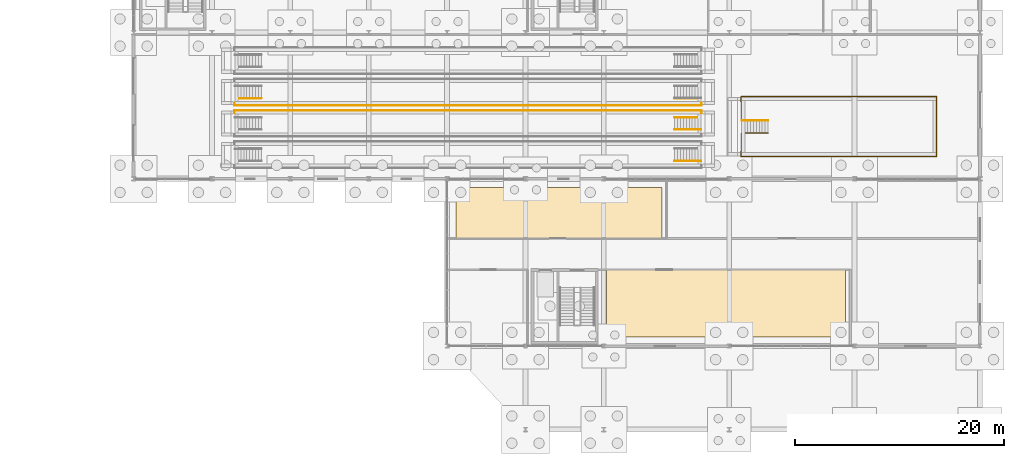
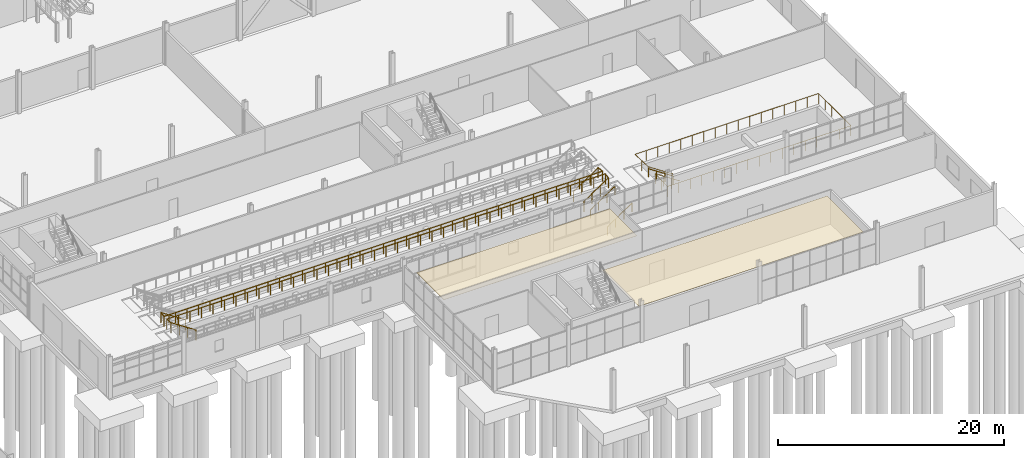
# One storey, part 132 of 136: 6 railings, 2 coverings.
"""IFC4 building model written with IfcOpenShell, lengths in metres."""

from ifc_helpers import new_model, si_unit, direction, frame, origin, origin_2d, place, context, subcontext, project, spatial, polyline, circle, outline, extrude, material, layer, layer_set, type_object, element, save


model = new_model("IFC4")

# Units and contexts
model_context = context("Model", 3, precision=1e-05, world=origin(), true_north=direction((0.0, 1.0)))
body_context = subcontext(model_context, "Body", "Model", "MODEL_VIEW")
ifc_project = project(units=[si_unit("LENGTHUNIT", "METRE"), si_unit("AREAUNIT", "SQUARE_METRE"), si_unit("VOLUMEUNIT", "CUBIC_METRE"), si_unit("PLANEANGLEUNIT", "RADIAN"), si_unit("MASSUNIT", "GRAM", prefix="KILO")], contexts=[model_context])

# Site, building, storey
site_placement = place(None, origin())
site = spatial("IfcSite", under=ifc_project, at=site_placement, CompositionType="ELEMENT")
building_placement = place(site_placement, origin())
building = spatial("IfcBuilding", under=site, at=building_placement, Name="Solvenia Promenade Tram Depot", CompositionType="ELEMENT")
storey_placement = place(building_placement, origin())
storey = spatial("IfcBuildingStorey", under=building, at=storey_placement, Name="L00", CompositionType="ELEMENT", Elevation=0.0)

# Coverings
ifc_material_1 = material(Name="Mineral-fibre acoustic ceiling tile", Category="other")
ifc_layer = layer(ifc_material_1, 0.02001953125, Name="Mineral-fibre acoustic ceiling tile", Category="other")
ifc_layer_set = layer_set([ifc_layer], Name="Mineral-fibre acoustic ceiling tile")
covering_type = type_object("IfcCoveringType", Name="Ceiling-Acoustic-20", PredefinedType="CEILING", material=ifc_layer_set)
covering_1_placement = place(storey_placement, frame((0.0, 0.0, 3.14990234375)))
element("IfcCovering", 1, at=covering_1_placement, inside=storey, type_object=covering_type, Name="Promenade Cafe Acoustic Ceiling", PredefinedType="CEILING", context=body_context, shape_type="SweptSolid", body=[
    extrude(outline(polyline([(135.85009765625, 18.340087890625), (155.550048828125, 18.340087890625), (155.550048828125, 23.14990234375), (135.85009765625, 23.14990234375), (135.85009765625, 18.340087890625)])), origin(), (0.0, 0.0, 1.0), 0.02001953125),
])
covering_2_placement = place(storey_placement, frame((0.0, 0.0, 3.14990234375)))
element("IfcCovering", 2, at=covering_2_placement, inside=storey, type_object=covering_type, Name="Transit Visitor Gallery Acoustic Ceiling", PredefinedType="CEILING", context=body_context, shape_type="SweptSolid", body=[
    extrude(outline(polyline([(150.25, 8.85009765625), (173.14990234375, 8.85009765625), (173.14990234375, 15.260009765625), (150.25, 15.260009765625), (150.25, 8.85009765625)])), origin(), (0.0, 0.0, 1.0), 0.02001953125),
])

# Railings
ifc_material_2 = material(Name="Galvanized painted sheet steel", Category="steel")
railing_type_1 = type_object("IfcRailingType", Name="Guard-Pit-1100", PredefinedType="GUARDRAIL", material=ifc_material_2)
railing_1_placement = place(storey_placement, frame((117.219970703125, 29.889892578125, -1.675048828125)))
element("IfcRailing", 3, at=railing_1_placement, inside=storey, type_object=railing_type_1, Name="Inspection Pit Bay 2 North Perimeter and Flight Safety Guard", PredefinedType="GUARDRAIL", context=body_context, shape_type="SweptSolid", body=[
    extrude(circle(Radius=0.02392578125, at=origin_2d()), frame((0.0, 0.0, 1.09619140625), z_axis=(-0.832806695154, 0.0, 0.553563915467), x_axis=(0.0, -1.0, 0.0)), (0.0, 0.0, 1.0), 3.02587890625),
    extrude(circle(Radius=0.02392578125, at=origin_2d()), frame((-2.52001953125, 0.0, 2.77099609375), z_axis=(-0.089259767428, 0.996008380446, 0.0), x_axis=(-0.996008380446, -0.089259767428, 0.0)), (0.0, 0.0, 1.0), 0.6728515625),
    extrude(circle(Radius=0.02392578125, at=origin_2d()), frame((-2.580078125, 0.670166015625, 2.77099609375), z_axis=(1.0, 0.0, 0.0), x_axis=(0.0, 1.0, 0.0)), (0.0, 0.0, 1.0), 44.72021484375),
    extrude(circle(Radius=0.02392578125, at=origin_2d()), frame((42.14013671875, 0.670166015625, 2.77099609375), z_axis=(-0.089259767428, -0.996008380446, 0.0), x_axis=(0.996008380446, -0.089259767428, 0.0)), (0.0, 0.0, 1.0), 0.6728515625),
    extrude(circle(Radius=0.02392578125, at=origin_2d()), frame((42.080078125, 0.0, 2.77099609375), z_axis=(-0.832806695154, 0.0, -0.553563915467), x_axis=(0.0, -1.0, 0.0)), (0.0, 0.0, 1.0), 3.02587890625),
    extrude(circle(Radius=0.02099609375, at=origin_2d()), origin(), (0.0, 0.0, 1.0), 1.072021484375),
    extrude(circle(Radius=0.02099609375, at=origin_2d()), frame((-0.840087890625, 0.0, 0.558349609375)), (0.0, 0.0, 1.0), 1.072021484375),
    extrude(circle(Radius=0.02099609375, at=origin_2d()), frame((-1.679931640625, 0.0, 1.11669921875)), (0.0, 0.0, 1.0), 1.072021484375),
    extrude(circle(Radius=0.02099609375, at=origin_2d()), frame((-2.52001953125, 0.0, 1.675048828125)), (0.0, 0.0, 1.0), 1.072021484375),
    extrude(circle(Radius=0.02099609375, at=origin_2d()), frame((-2.580078125, 0.670166015625, 1.675048828125)), (0.0, 0.0, 1.0), 1.072021484375),
    extrude(circle(Radius=0.02099609375, at=origin_2d()), frame((-1.4033203125, 0.670166015625, 1.675048828125)), (0.0, 0.0, 1.0), 1.072021484375),
    extrude(circle(Radius=0.02099609375, at=origin_2d()), frame((-0.226318359375, 0.670166015625, 1.675048828125)), (0.0, 0.0, 1.0), 1.072021484375),
    extrude(circle(Radius=0.02099609375, at=origin_2d()), frame((0.950439453125, 0.670166015625, 1.675048828125)), (0.0, 0.0, 1.0), 1.072021484375),
    extrude(circle(Radius=0.02099609375, at=origin_2d()), frame((2.127197265625, 0.670166015625, 1.675048828125)), (0.0, 0.0, 1.0), 1.072021484375),
    extrude(circle(Radius=0.02099609375, at=origin_2d()), frame((3.30419921875, 0.670166015625, 1.675048828125)), (0.0, 0.0, 1.0), 1.072021484375),
    extrude(circle(Radius=0.02099609375, at=origin_2d()), frame((4.48095703125, 0.670166015625, 1.675048828125)), (0.0, 0.0, 1.0), 1.072021484375),
    extrude(circle(Radius=0.02099609375, at=origin_2d()), frame((5.657958984375, 0.670166015625, 1.675048828125)), (0.0, 0.0, 1.0), 1.072021484375),
    extrude(circle(Radius=0.02099609375, at=origin_2d()), frame((6.834716796875, 0.670166015625, 1.675048828125)), (0.0, 0.0, 1.0), 1.072021484375),
    extrude(circle(Radius=0.02099609375, at=origin_2d()), frame((8.011474609375, 0.670166015625, 1.675048828125)), (0.0, 0.0, 1.0), 1.072021484375),
    extrude(circle(Radius=0.02099609375, at=origin_2d()), frame((9.1884765625, 0.670166015625, 1.675048828125)), (0.0, 0.0, 1.0), 1.072021484375),
    extrude(circle(Radius=0.02099609375, at=origin_2d()), frame((10.365234375, 0.670166015625, 1.675048828125)), (0.0, 0.0, 1.0), 1.072021484375),
    extrude(circle(Radius=0.02099609375, at=origin_2d()), frame((11.5419921875, 0.670166015625, 1.675048828125)), (0.0, 0.0, 1.0), 1.072021484375),
    extrude(circle(Radius=0.02099609375, at=origin_2d()), frame((12.718994140625, 0.670166015625, 1.675048828125)), (0.0, 0.0, 1.0), 1.072021484375),
    extrude(circle(Radius=0.02099609375, at=origin_2d()), frame((13.895751953125, 0.670166015625, 1.675048828125)), (0.0, 0.0, 1.0), 1.072021484375),
    extrude(circle(Radius=0.02099609375, at=origin_2d()), frame((15.07275390625, 0.670166015625, 1.675048828125)), (0.0, 0.0, 1.0), 1.072021484375),
    extrude(circle(Radius=0.02099609375, at=origin_2d()), frame((16.24951171875, 0.670166015625, 1.675048828125)), (0.0, 0.0, 1.0), 1.072021484375),
    extrude(circle(Radius=0.02099609375, at=origin_2d()), frame((17.42626953125, 0.670166015625, 1.675048828125)), (0.0, 0.0, 1.0), 1.072021484375),
    extrude(circle(Radius=0.02099609375, at=origin_2d()), frame((18.603271484375, 0.670166015625, 1.675048828125)), (0.0, 0.0, 1.0), 1.072021484375),
    extrude(circle(Radius=0.02099609375, at=origin_2d()), frame((19.780029296875, 0.670166015625, 1.675048828125)), (0.0, 0.0, 1.0), 1.072021484375),
    extrude(circle(Radius=0.02099609375, at=origin_2d()), frame((20.956787109375, 0.670166015625, 1.675048828125)), (0.0, 0.0, 1.0), 1.072021484375),
    extrude(circle(Radius=0.02099609375, at=origin_2d()), frame((22.1337890625, 0.670166015625, 1.675048828125)), (0.0, 0.0, 1.0), 1.072021484375),
    extrude(circle(Radius=0.02099609375, at=origin_2d()), frame((23.310546875, 0.670166015625, 1.675048828125)), (0.0, 0.0, 1.0), 1.072021484375),
    extrude(circle(Radius=0.02099609375, at=origin_2d()), frame((24.4873046875, 0.670166015625, 1.675048828125)), (0.0, 0.0, 1.0), 1.072021484375),
    extrude(circle(Radius=0.02099609375, at=origin_2d()), frame((25.664306640625, 0.670166015625, 1.675048828125)), (0.0, 0.0, 1.0), 1.072021484375),
    extrude(circle(Radius=0.02099609375, at=origin_2d()), frame((26.841064453125, 0.670166015625, 1.675048828125)), (0.0, 0.0, 1.0), 1.072021484375),
    extrude(circle(Radius=0.02099609375, at=origin_2d()), frame((28.01806640625, 0.670166015625, 1.675048828125)), (0.0, 0.0, 1.0), 1.072021484375),
    extrude(circle(Radius=0.02099609375, at=origin_2d()), frame((29.19482421875, 0.670166015625, 1.675048828125)), (0.0, 0.0, 1.0), 1.072021484375),
    extrude(circle(Radius=0.02099609375, at=origin_2d()), frame((30.37158203125, 0.670166015625, 1.675048828125)), (0.0, 0.0, 1.0), 1.072021484375),
    extrude(circle(Radius=0.02099609375, at=origin_2d()), frame((31.548583984375, 0.670166015625, 1.675048828125)), (0.0, 0.0, 1.0), 1.072021484375),
    extrude(circle(Radius=0.02099609375, at=origin_2d()), frame((32.725341796875, 0.670166015625, 1.675048828125)), (0.0, 0.0, 1.0), 1.072021484375),
    extrude(circle(Radius=0.02099609375, at=origin_2d()), frame((33.902099609375, 0.670166015625, 1.675048828125)), (0.0, 0.0, 1.0), 1.072021484375),
    extrude(circle(Radius=0.02099609375, at=origin_2d()), frame((35.0791015625, 0.670166015625, 1.675048828125)), (0.0, 0.0, 1.0), 1.072021484375),
    extrude(circle(Radius=0.02099609375, at=origin_2d()), frame((36.255859375, 0.670166015625, 1.675048828125)), (0.0, 0.0, 1.0), 1.072021484375),
    extrude(circle(Radius=0.02099609375, at=origin_2d()), frame((37.432861328125, 0.670166015625, 1.675048828125)), (0.0, 0.0, 1.0), 1.072021484375),
    extrude(circle(Radius=0.02099609375, at=origin_2d()), frame((38.609619140625, 0.670166015625, 1.675048828125)), (0.0, 0.0, 1.0), 1.072021484375),
    extrude(circle(Radius=0.02099609375, at=origin_2d()), frame((39.786376953125, 0.670166015625, 1.675048828125)), (0.0, 0.0, 1.0), 1.072021484375),
    extrude(circle(Radius=0.02099609375, at=origin_2d()), frame((40.96337890625, 0.670166015625, 1.675048828125)), (0.0, 0.0, 1.0), 1.072021484375),
    extrude(circle(Radius=0.02099609375, at=origin_2d()), frame((42.14013671875, 0.670166015625, 1.675048828125)), (0.0, 0.0, 1.0), 1.072021484375),
    extrude(circle(Radius=0.02099609375, at=origin_2d()), frame((42.080078125, 0.0, 1.675048828125)), (0.0, 0.0, 1.0), 1.072021484375),
    extrude(circle(Radius=0.02099609375, at=origin_2d()), frame((41.239990234375, 0.0, 1.11669921875)), (0.0, 0.0, 1.0), 1.072021484375),
    extrude(circle(Radius=0.02099609375, at=origin_2d()), frame((40.400146484375, 0.0, 0.558349609375)), (0.0, 0.0, 1.0), 1.072021484375),
    extrude(circle(Radius=0.02099609375, at=origin_2d()), frame((39.56005859375, 0.0, 0.0)), (0.0, 0.0, 1.0), 1.072021484375),
])
railing_2_placement = place(storey_placement, frame((117.219970703125, 31.7099609375, -1.675048828125)))
element("IfcRailing", 4, at=railing_2_placement, inside=storey, type_object=railing_type_1, Name="Inspection Pit Bay 3 South Perimeter and Flight Safety Guard", PredefinedType="GUARDRAIL", context=body_context, shape_type="SweptSolid", body=[
    extrude(circle(Radius=0.02392578125, at=origin_2d()), frame((0.0, 0.0, 1.09619140625), z_axis=(-0.832806695154, 0.0, 0.553563915467), x_axis=(0.0, -1.0, 0.0)), (0.0, 0.0, 1.0), 3.02587890625),
    extrude(circle(Radius=0.02392578125, at=origin_2d()), frame((-2.52001953125, 0.0, 2.77099609375), z_axis=(-0.089292037188, -0.996005487984, 0.0), x_axis=(0.996005487984, -0.089292037188, 0.0)), (0.0, 0.0, 1.0), 0.672607421875),
    extrude(circle(Radius=0.02392578125, at=origin_2d()), frame((-2.580078125, -0.669921875, 2.77099609375), z_axis=(1.0, 0.0, 0.0), x_axis=(0.0, 1.0, 0.0)), (0.0, 0.0, 1.0), 44.72021484375),
    extrude(circle(Radius=0.02392578125, at=origin_2d()), frame((42.14013671875, -0.669921875, 2.77099609375), z_axis=(-0.089292037188, 0.996005487984, 0.0), x_axis=(-0.996005487984, -0.089292037188, 0.0)), (0.0, 0.0, 1.0), 0.672607421875),
    extrude(circle(Radius=0.02392578125, at=origin_2d()), frame((42.080078125, 0.0, 2.77099609375), z_axis=(-0.832806695154, 0.0, -0.553563915467), x_axis=(0.0, -1.0, 0.0)), (0.0, 0.0, 1.0), 3.02587890625),
    extrude(circle(Radius=0.02099609375, at=origin_2d()), origin(), (0.0, 0.0, 1.0), 1.072021484375),
    extrude(circle(Radius=0.02099609375, at=origin_2d()), frame((-0.840087890625, 0.0, 0.558349609375)), (0.0, 0.0, 1.0), 1.072021484375),
    extrude(circle(Radius=0.02099609375, at=origin_2d()), frame((-1.679931640625, 0.0, 1.11669921875)), (0.0, 0.0, 1.0), 1.072021484375),
    extrude(circle(Radius=0.02099609375, at=origin_2d()), frame((-2.52001953125, 0.0, 1.675048828125)), (0.0, 0.0, 1.0), 1.072021484375),
    extrude(circle(Radius=0.02099609375, at=origin_2d()), frame((-2.580078125, -0.669921875, 1.675048828125)), (0.0, 0.0, 1.0), 1.072021484375),
    extrude(circle(Radius=0.02099609375, at=origin_2d()), frame((-1.4033203125, -0.669921875, 1.675048828125)), (0.0, 0.0, 1.0), 1.072021484375),
    extrude(circle(Radius=0.02099609375, at=origin_2d()), frame((-0.226318359375, -0.669921875, 1.675048828125)), (0.0, 0.0, 1.0), 1.072021484375),
    extrude(circle(Radius=0.02099609375, at=origin_2d()), frame((0.950439453125, -0.669921875, 1.675048828125)), (0.0, 0.0, 1.0), 1.072021484375),
    extrude(circle(Radius=0.02099609375, at=origin_2d()), frame((2.127197265625, -0.669921875, 1.675048828125)), (0.0, 0.0, 1.0), 1.072021484375),
    extrude(circle(Radius=0.02099609375, at=origin_2d()), frame((3.30419921875, -0.669921875, 1.675048828125)), (0.0, 0.0, 1.0), 1.072021484375),
    extrude(circle(Radius=0.02099609375, at=origin_2d()), frame((4.48095703125, -0.669921875, 1.675048828125)), (0.0, 0.0, 1.0), 1.072021484375),
    extrude(circle(Radius=0.02099609375, at=origin_2d()), frame((5.657958984375, -0.669921875, 1.675048828125)), (0.0, 0.0, 1.0), 1.072021484375),
    extrude(circle(Radius=0.02099609375, at=origin_2d()), frame((6.834716796875, -0.669921875, 1.675048828125)), (0.0, 0.0, 1.0), 1.072021484375),
    extrude(circle(Radius=0.02099609375, at=origin_2d()), frame((8.011474609375, -0.669921875, 1.675048828125)), (0.0, 0.0, 1.0), 1.072021484375),
    extrude(circle(Radius=0.02099609375, at=origin_2d()), frame((9.1884765625, -0.669921875, 1.675048828125)), (0.0, 0.0, 1.0), 1.072021484375),
    extrude(circle(Radius=0.02099609375, at=origin_2d()), frame((10.365234375, -0.669921875, 1.675048828125)), (0.0, 0.0, 1.0), 1.072021484375),
    extrude(circle(Radius=0.02099609375, at=origin_2d()), frame((11.5419921875, -0.669921875, 1.675048828125)), (0.0, 0.0, 1.0), 1.072021484375),
    extrude(circle(Radius=0.02099609375, at=origin_2d()), frame((12.718994140625, -0.669921875, 1.675048828125)), (0.0, 0.0, 1.0), 1.072021484375),
    extrude(circle(Radius=0.02099609375, at=origin_2d()), frame((13.895751953125, -0.669921875, 1.675048828125)), (0.0, 0.0, 1.0), 1.072021484375),
    extrude(circle(Radius=0.02099609375, at=origin_2d()), frame((15.07275390625, -0.669921875, 1.675048828125)), (0.0, 0.0, 1.0), 1.072021484375),
    extrude(circle(Radius=0.02099609375, at=origin_2d()), frame((16.24951171875, -0.669921875, 1.675048828125)), (0.0, 0.0, 1.0), 1.072021484375),
    extrude(circle(Radius=0.02099609375, at=origin_2d()), frame((17.42626953125, -0.669921875, 1.675048828125)), (0.0, 0.0, 1.0), 1.072021484375),
    extrude(circle(Radius=0.02099609375, at=origin_2d()), frame((18.603271484375, -0.669921875, 1.675048828125)), (0.0, 0.0, 1.0), 1.072021484375),
    extrude(circle(Radius=0.02099609375, at=origin_2d()), frame((19.780029296875, -0.669921875, 1.675048828125)), (0.0, 0.0, 1.0), 1.072021484375),
    extrude(circle(Radius=0.02099609375, at=origin_2d()), frame((20.956787109375, -0.669921875, 1.675048828125)), (0.0, 0.0, 1.0), 1.072021484375),
    extrude(circle(Radius=0.02099609375, at=origin_2d()), frame((22.1337890625, -0.669921875, 1.675048828125)), (0.0, 0.0, 1.0), 1.072021484375),
    extrude(circle(Radius=0.02099609375, at=origin_2d()), frame((23.310546875, -0.669921875, 1.675048828125)), (0.0, 0.0, 1.0), 1.072021484375),
    extrude(circle(Radius=0.02099609375, at=origin_2d()), frame((24.4873046875, -0.669921875, 1.675048828125)), (0.0, 0.0, 1.0), 1.072021484375),
    extrude(circle(Radius=0.02099609375, at=origin_2d()), frame((25.664306640625, -0.669921875, 1.675048828125)), (0.0, 0.0, 1.0), 1.072021484375),
    extrude(circle(Radius=0.02099609375, at=origin_2d()), frame((26.841064453125, -0.669921875, 1.675048828125)), (0.0, 0.0, 1.0), 1.072021484375),
    extrude(circle(Radius=0.02099609375, at=origin_2d()), frame((28.01806640625, -0.669921875, 1.675048828125)), (0.0, 0.0, 1.0), 1.072021484375),
    extrude(circle(Radius=0.02099609375, at=origin_2d()), frame((29.19482421875, -0.669921875, 1.675048828125)), (0.0, 0.0, 1.0), 1.072021484375),
    extrude(circle(Radius=0.02099609375, at=origin_2d()), frame((30.37158203125, -0.669921875, 1.675048828125)), (0.0, 0.0, 1.0), 1.072021484375),
    extrude(circle(Radius=0.02099609375, at=origin_2d()), frame((31.548583984375, -0.669921875, 1.675048828125)), (0.0, 0.0, 1.0), 1.072021484375),
    extrude(circle(Radius=0.02099609375, at=origin_2d()), frame((32.725341796875, -0.669921875, 1.675048828125)), (0.0, 0.0, 1.0), 1.072021484375),
    extrude(circle(Radius=0.02099609375, at=origin_2d()), frame((33.902099609375, -0.669921875, 1.675048828125)), (0.0, 0.0, 1.0), 1.072021484375),
    extrude(circle(Radius=0.02099609375, at=origin_2d()), frame((35.0791015625, -0.669921875, 1.675048828125)), (0.0, 0.0, 1.0), 1.072021484375),
    extrude(circle(Radius=0.02099609375, at=origin_2d()), frame((36.255859375, -0.669921875, 1.675048828125)), (0.0, 0.0, 1.0), 1.072021484375),
    extrude(circle(Radius=0.02099609375, at=origin_2d()), frame((37.432861328125, -0.669921875, 1.675048828125)), (0.0, 0.0, 1.0), 1.072021484375),
    extrude(circle(Radius=0.02099609375, at=origin_2d()), frame((38.609619140625, -0.669921875, 1.675048828125)), (0.0, 0.0, 1.0), 1.072021484375),
    extrude(circle(Radius=0.02099609375, at=origin_2d()), frame((39.786376953125, -0.669921875, 1.675048828125)), (0.0, 0.0, 1.0), 1.072021484375),
    extrude(circle(Radius=0.02099609375, at=origin_2d()), frame((40.96337890625, -0.669921875, 1.675048828125)), (0.0, 0.0, 1.0), 1.072021484375),
    extrude(circle(Radius=0.02099609375, at=origin_2d()), frame((42.14013671875, -0.669921875, 1.675048828125)), (0.0, 0.0, 1.0), 1.072021484375),
    extrude(circle(Radius=0.02099609375, at=origin_2d()), frame((42.080078125, 0.0, 1.675048828125)), (0.0, 0.0, 1.0), 1.072021484375),
    extrude(circle(Radius=0.02099609375, at=origin_2d()), frame((41.239990234375, 0.0, 1.11669921875)), (0.0, 0.0, 1.0), 1.072021484375),
    extrude(circle(Radius=0.02099609375, at=origin_2d()), frame((40.400146484375, 0.0, 0.558349609375)), (0.0, 0.0, 1.0), 1.072021484375),
    extrude(circle(Radius=0.02099609375, at=origin_2d()), frame((39.56005859375, 0.0, 0.0)), (0.0, 0.0, 1.0), 1.072021484375),
])
railing_3_placement = place(storey_placement, frame((165.719970703125, 28.3798828125, -1.675048828125)))
element("IfcRailing", 5, at=railing_3_placement, inside=storey, type_object=railing_type_1, Name="Underfloor Wheel Lathe Bay Perimeter and Flight Safety Guard", PredefinedType="GUARDRAIL", context=body_context, shape_type="SweptSolid", body=[
    extrude(circle(Radius=0.02392578125, at=origin_2d()), frame((0.0, 0.0, 1.09619140625), z_axis=(-0.832806695154, 0.0, 0.553563915467), x_axis=(0.0, -1.0, 0.0)), (0.0, 0.0, 1.0), 3.02587890625),
    extrude(circle(Radius=0.02392578125, at=origin_2d()), frame((-2.52001953125, 0.0, 2.77099609375), z_axis=(-0.026802356955, -0.999640752301, 0.0), x_axis=(0.999640752301, -0.026802356955, 0.0)), (0.0, 0.0, 1.0), 2.24072265625),
    extrude(circle(Radius=0.02392578125, at=origin_2d()), frame((-2.580078125, -2.239990234375, 2.77099609375), z_axis=(1.0, 0.0, 0.0), x_axis=(0.0, 1.0, 0.0)), (0.0, 0.0, 1.0), 18.72021484375),
    extrude(circle(Radius=0.02392578125, at=origin_2d()), frame((16.14013671875, -2.239990234375, 2.77099609375), z_axis=(0.0, 1.0, 0.0), x_axis=(-1.0, 0.0, 0.0)), (0.0, 0.0, 1.0), 5.72021484375),
    extrude(circle(Radius=0.02392578125, at=origin_2d()), frame((16.14013671875, 3.480224609375, 2.77099609375), z_axis=(-1.0, 0.0, 0.0), x_axis=(0.0, -1.0, 0.0)), (0.0, 0.0, 1.0), 18.72021484375),
    extrude(circle(Radius=0.02392578125, at=origin_2d()), frame((-2.580078125, 3.480224609375, 2.77099609375), z_axis=(0.026802356955, -0.999640752301, 0.0), x_axis=(0.999640752301, 0.026802356955, 0.0)), (0.0, 0.0, 1.0), 2.24072265625),
    extrude(circle(Radius=0.02392578125, at=origin_2d()), frame((-2.52001953125, 1.240234375, 2.77099609375), z_axis=(0.832806695154, 0.0, -0.553563915467), x_axis=(0.0, 1.0, 0.0)), (0.0, 0.0, 1.0), 3.02587890625),
    extrude(circle(Radius=0.02099609375, at=origin_2d()), origin(), (0.0, 0.0, 1.0), 1.072021484375),
    extrude(circle(Radius=0.02099609375, at=origin_2d()), frame((-0.840087890625, 0.0, 0.558349609375)), (0.0, 0.0, 1.0), 1.072021484375),
    extrude(circle(Radius=0.02099609375, at=origin_2d()), frame((-1.679931640625, 0.0, 1.11669921875)), (0.0, 0.0, 1.0), 1.072021484375),
    extrude(circle(Radius=0.02099609375, at=origin_2d()), frame((-2.52001953125, 0.0, 1.675048828125)), (0.0, 0.0, 1.0), 1.072021484375),
    extrude(circle(Radius=0.02099609375, at=origin_2d()), frame((-2.550048828125, -1.1201171875, 1.675048828125)), (0.0, 0.0, 1.0), 1.072021484375),
    extrude(circle(Radius=0.02099609375, at=origin_2d()), frame((-2.580078125, -2.239990234375, 1.675048828125)), (0.0, 0.0, 1.0), 1.072021484375),
    extrude(circle(Radius=0.02099609375, at=origin_2d()), frame((-1.41015625, -2.239990234375, 1.675048828125)), (0.0, 0.0, 1.0), 1.072021484375),
    extrude(circle(Radius=0.02099609375, at=origin_2d()), frame((-0.239990234375, -2.239990234375, 1.675048828125)), (0.0, 0.0, 1.0), 1.072021484375),
    extrude(circle(Radius=0.02099609375, at=origin_2d()), frame((0.929931640625, -2.239990234375, 1.675048828125)), (0.0, 0.0, 1.0), 1.072021484375),
    extrude(circle(Radius=0.02099609375, at=origin_2d()), frame((2.10009765625, -2.239990234375, 1.675048828125)), (0.0, 0.0, 1.0), 1.072021484375),
    extrude(circle(Radius=0.02099609375, at=origin_2d()), frame((3.27001953125, -2.239990234375, 1.675048828125)), (0.0, 0.0, 1.0), 1.072021484375),
    extrude(circle(Radius=0.02099609375, at=origin_2d()), frame((4.43994140625, -2.239990234375, 1.675048828125)), (0.0, 0.0, 1.0), 1.072021484375),
    extrude(circle(Radius=0.02099609375, at=origin_2d()), frame((5.610107421875, -2.239990234375, 1.675048828125)), (0.0, 0.0, 1.0), 1.072021484375),
    extrude(circle(Radius=0.02099609375, at=origin_2d()), frame((6.780029296875, -2.239990234375, 1.675048828125)), (0.0, 0.0, 1.0), 1.072021484375),
    extrude(circle(Radius=0.02099609375, at=origin_2d()), frame((7.949951171875, -2.239990234375, 1.675048828125)), (0.0, 0.0, 1.0), 1.072021484375),
    extrude(circle(Radius=0.02099609375, at=origin_2d()), frame((9.1201171875, -2.239990234375, 1.675048828125)), (0.0, 0.0, 1.0), 1.072021484375),
    extrude(circle(Radius=0.02099609375, at=origin_2d()), frame((10.2900390625, -2.239990234375, 1.675048828125)), (0.0, 0.0, 1.0), 1.072021484375),
    extrude(circle(Radius=0.02099609375, at=origin_2d()), frame((11.4599609375, -2.239990234375, 1.675048828125)), (0.0, 0.0, 1.0), 1.072021484375),
    extrude(circle(Radius=0.02099609375, at=origin_2d()), frame((12.630126953125, -2.239990234375, 1.675048828125)), (0.0, 0.0, 1.0), 1.072021484375),
    extrude(circle(Radius=0.02099609375, at=origin_2d()), frame((13.800048828125, -2.239990234375, 1.675048828125)), (0.0, 0.0, 1.0), 1.072021484375),
    extrude(circle(Radius=0.02099609375, at=origin_2d()), frame((14.97021484375, -2.239990234375, 1.675048828125)), (0.0, 0.0, 1.0), 1.072021484375),
    extrude(circle(Radius=0.02099609375, at=origin_2d()), frame((16.14013671875, -2.239990234375, 1.675048828125)), (0.0, 0.0, 1.0), 1.072021484375),
    extrude(circle(Radius=0.02099609375, at=origin_2d()), frame((16.14013671875, -1.095947265625, 1.675048828125)), (0.0, 0.0, 1.0), 1.072021484375),
    extrude(circle(Radius=0.02099609375, at=origin_2d()), frame((16.14013671875, 0.048095703125, 1.675048828125)), (0.0, 0.0, 1.0), 1.072021484375),
    extrude(circle(Radius=0.02099609375, at=origin_2d()), frame((16.14013671875, 1.192138671875, 1.675048828125)), (0.0, 0.0, 1.0), 1.072021484375),
    extrude(circle(Radius=0.02099609375, at=origin_2d()), frame((16.14013671875, 2.336181640625, 1.675048828125)), (0.0, 0.0, 1.0), 1.072021484375),
    extrude(circle(Radius=0.02099609375, at=origin_2d()), frame((16.14013671875, 3.480224609375, 1.675048828125)), (0.0, 0.0, 1.0), 1.072021484375),
    extrude(circle(Radius=0.02099609375, at=origin_2d()), frame((14.97021484375, 3.480224609375, 1.675048828125)), (0.0, 0.0, 1.0), 1.072021484375),
    extrude(circle(Radius=0.02099609375, at=origin_2d()), frame((13.800048828125, 3.480224609375, 1.675048828125)), (0.0, 0.0, 1.0), 1.072021484375),
    extrude(circle(Radius=0.02099609375, at=origin_2d()), frame((12.630126953125, 3.480224609375, 1.675048828125)), (0.0, 0.0, 1.0), 1.072021484375),
    extrude(circle(Radius=0.02099609375, at=origin_2d()), frame((11.4599609375, 3.480224609375, 1.675048828125)), (0.0, 0.0, 1.0), 1.072021484375),
    extrude(circle(Radius=0.02099609375, at=origin_2d()), frame((10.2900390625, 3.480224609375, 1.675048828125)), (0.0, 0.0, 1.0), 1.072021484375),
    extrude(circle(Radius=0.02099609375, at=origin_2d()), frame((9.1201171875, 3.480224609375, 1.675048828125)), (0.0, 0.0, 1.0), 1.072021484375),
    extrude(circle(Radius=0.02099609375, at=origin_2d()), frame((7.949951171875, 3.480224609375, 1.675048828125)), (0.0, 0.0, 1.0), 1.072021484375),
    extrude(circle(Radius=0.02099609375, at=origin_2d()), frame((6.780029296875, 3.480224609375, 1.675048828125)), (0.0, 0.0, 1.0), 1.072021484375),
    extrude(circle(Radius=0.02099609375, at=origin_2d()), frame((5.610107421875, 3.480224609375, 1.675048828125)), (0.0, 0.0, 1.0), 1.072021484375),
    extrude(circle(Radius=0.02099609375, at=origin_2d()), frame((4.43994140625, 3.480224609375, 1.675048828125)), (0.0, 0.0, 1.0), 1.072021484375),
    extrude(circle(Radius=0.02099609375, at=origin_2d()), frame((3.27001953125, 3.480224609375, 1.675048828125)), (0.0, 0.0, 1.0), 1.072021484375),
    extrude(circle(Radius=0.02099609375, at=origin_2d()), frame((2.10009765625, 3.480224609375, 1.675048828125)), (0.0, 0.0, 1.0), 1.072021484375),
    extrude(circle(Radius=0.02099609375, at=origin_2d()), frame((0.929931640625, 3.480224609375, 1.675048828125)), (0.0, 0.0, 1.0), 1.072021484375),
    extrude(circle(Radius=0.02099609375, at=origin_2d()), frame((-0.239990234375, 3.480224609375, 1.675048828125)), (0.0, 0.0, 1.0), 1.072021484375),
    extrude(circle(Radius=0.02099609375, at=origin_2d()), frame((-1.41015625, 3.480224609375, 1.675048828125)), (0.0, 0.0, 1.0), 1.072021484375),
    extrude(circle(Radius=0.02099609375, at=origin_2d()), frame((-2.580078125, 3.480224609375, 1.675048828125)), (0.0, 0.0, 1.0), 1.072021484375),
    extrude(circle(Radius=0.02099609375, at=origin_2d()), frame((-2.550048828125, 2.3603515625, 1.675048828125)), (0.0, 0.0, 1.0), 1.072021484375),
    extrude(circle(Radius=0.02099609375, at=origin_2d()), frame((-2.52001953125, 1.240234375, 1.675048828125)), (0.0, 0.0, 1.0), 1.072021484375),
    extrude(circle(Radius=0.02099609375, at=origin_2d()), frame((-1.679931640625, 1.240234375, 1.11669921875)), (0.0, 0.0, 1.0), 1.072021484375),
    extrude(circle(Radius=0.02099609375, at=origin_2d()), frame((-0.840087890625, 1.240234375, 0.558349609375)), (0.0, 0.0, 1.0), 1.072021484375),
    extrude(circle(Radius=0.02099609375, at=origin_2d()), frame((0.0, 1.240234375, 0.0)), (0.0, 0.0, 1.0), 1.072021484375),
])
ifc_material_3 = material(Name="Anodized aluminium AW-6063 T6", Category="aluminium")
railing_type_2 = type_object("IfcRailingType", Name="Handrail-Stair-920", PredefinedType="HANDRAIL", material=ifc_material_3)
for number, where, name in (
    (6, (156.780029296875, 25.72998046875, -1.675048828125), "Inspection Pit Bay 1 East Stair Handrail"),
    (7, (156.780029296875, 28.72998046875, -1.675048828125), "Inspection Pit Bay 2 East Stair Handrail"),
):
    element("IfcRailing", number, at=place(storey_placement, frame(where)), inside=storey, type_object=railing_type_2, Name=name, PredefinedType="HANDRAIL", context=body_context, shape_type="SweptSolid", body=[
        extrude(circle(Radius=0.02392578125, at=origin_2d()), frame((0.0, 0.0, 0.89599609375), z_axis=(0.832806695154, 0.0, 0.553563915467), x_axis=(0.0, 1.0, 0.0)), (0.0, 0.0, 1.0), 3.02587890625),
        extrude(circle(Radius=0.02099609375, at=origin_2d()), origin(), (0.0, 0.0, 1.0), 0.871826171875),
        extrude(circle(Radius=0.02099609375, at=origin_2d()), frame((0.840087890625, 0.0, 0.558349609375)), (0.0, 0.0, 1.0), 0.871826171875),
        extrude(circle(Radius=0.02099609375, at=origin_2d()), frame((1.679931640625, 0.0, 1.11669921875)), (0.0, 0.0, 1.0), 0.871826171875),
        extrude(circle(Radius=0.02099609375, at=origin_2d()), frame((2.52001953125, 0.0, 1.675048828125)), (0.0, 0.0, 1.0), 0.871826171875),
    ])
railing_4_placement = place(storey_placement, frame((165.719970703125, 29.60009765625, -1.675048828125)))
element("IfcRailing", 8, at=railing_4_placement, inside=storey, type_object=railing_type_2, Name="Underfloor Wheel Lathe Bay Stair Handrail", PredefinedType="HANDRAIL", context=body_context, shape_type="SweptSolid", body=[
    extrude(circle(Radius=0.02392578125, at=origin_2d()), frame((0.0, 0.0, 0.89599609375), z_axis=(-0.832806695154, 0.0, 0.553563915467), x_axis=(0.0, -1.0, 0.0)), (0.0, 0.0, 1.0), 3.02587890625),
    extrude(circle(Radius=0.02099609375, at=origin_2d()), origin(), (0.0, 0.0, 1.0), 0.871826171875),
    extrude(circle(Radius=0.02099609375, at=origin_2d()), frame((-0.840087890625, 0.0, 0.558349609375)), (0.0, 0.0, 1.0), 0.871826171875),
    extrude(circle(Radius=0.02099609375, at=origin_2d()), frame((-1.679931640625, 0.0, 1.11669921875)), (0.0, 0.0, 1.0), 0.871826171875),
    extrude(circle(Radius=0.02099609375, at=origin_2d()), frame((-2.52001953125, 0.0, 1.675048828125)), (0.0, 0.0, 1.0), 0.871826171875),
])

save(model, "model.ifc")
